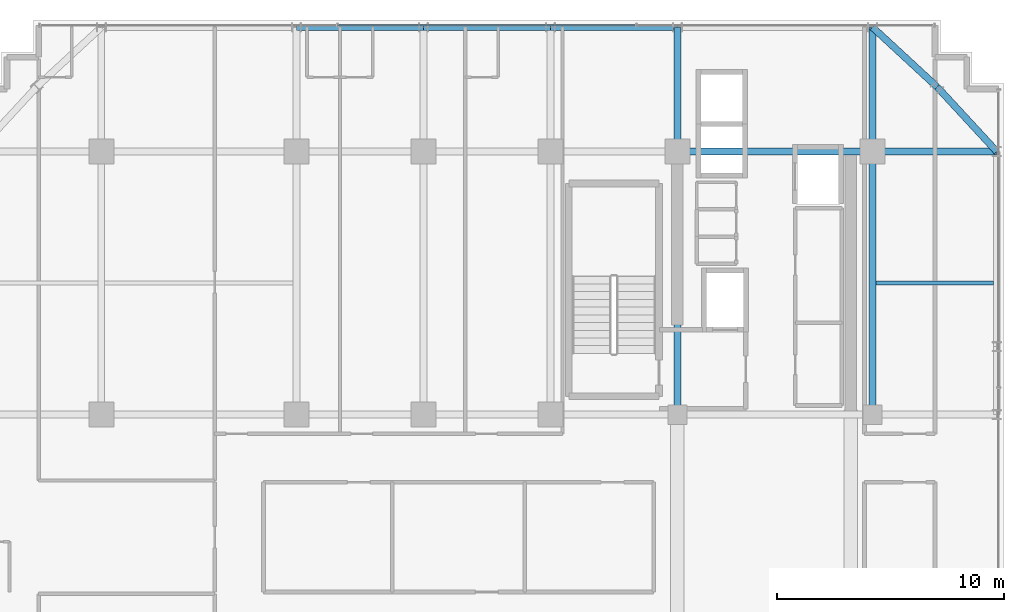
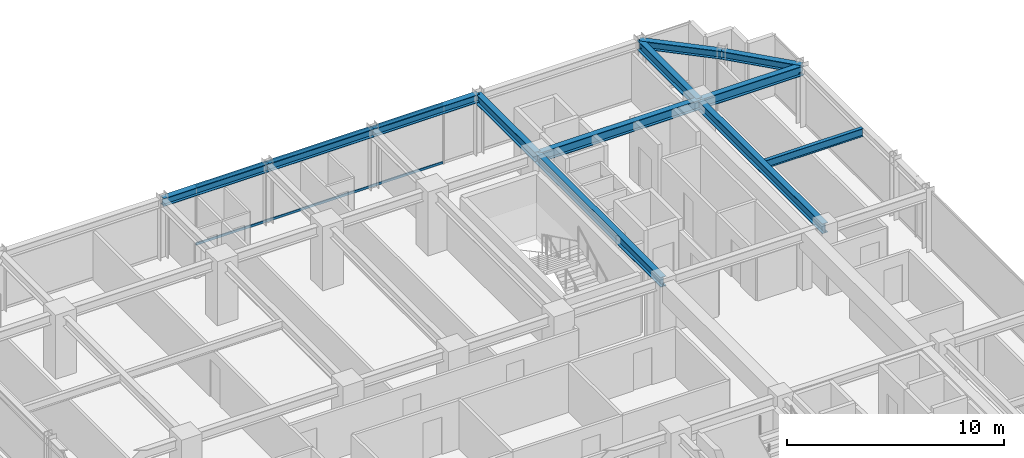
# One storey, part 21 of 31: 12 beams, 2 members, 1 element without a shape of its own.
"""IFC4 building model written with IfcOpenShell, lengths in metres."""

from ifc_helpers import new_model, si_unit, direction, frame, origin, origin_2d, place, context, subcontext, project, spatial, hollow_rectangle, i_section, extrude, source, transform, mapped, material, material_profile, profile_set, type_object, element, aggregate, save


model = new_model("IFC4")

# Units and contexts
model_context = context("Model", 3, precision=1e-05, world=origin(), true_north=direction((0.0, 1.0)))
body_context = subcontext(model_context, "Body", "Model", "MODEL_VIEW")
ifc_project = project(units=[si_unit("LENGTHUNIT", "METRE"), si_unit("AREAUNIT", "SQUARE_METRE"), si_unit("VOLUMEUNIT", "CUBIC_METRE"), si_unit("PLANEANGLEUNIT", "RADIAN"), si_unit("MASSUNIT", "GRAM", prefix="KILO")], contexts=[model_context])

# Site, building, storey
site_placement = place(None, origin())
site = spatial("IfcSite", under=ifc_project, at=site_placement, CompositionType="ELEMENT")
building_placement = place(site_placement, origin())
building = spatial("IfcBuilding", under=site, at=building_placement, Name="Nahalor Promenade Grand Hotel", CompositionType="ELEMENT")
storey_placement = place(building_placement, frame((0.0, 0.0, 156.300048828125)))
storey = spatial("IfcBuildingStorey", under=building, at=storey_placement, Name="L39", CompositionType="ELEMENT", Elevation=156.300048828125)

# Beams
ifc_material_1 = material(Name="Steel S355JR", Category="steel")
ifc_material_profile_1 = material_profile(ifc_material_1, i_section(OverallWidth=0.3, OverallDepth=0.55, WebThickness=0.015, FlangeThickness=0.029, at=origin_2d()), Name="HEB 550")
ifc_profile_set_1 = profile_set([ifc_material_profile_1], Name="Steel S355JR")
beam_type_1 = type_object("IfcBeamType", Name="Beam-Girder-HEB550", PredefinedType="BEAM", material=ifc_profile_set_1)
shared_shape_1 = source(origin(), body_context, "Body", "SweptSolid", [
    extrude(i_section(OverallWidth=0.3, OverallDepth=0.55, WebThickness=0.015, FlangeThickness=0.029, at=origin_2d()), origin(), (0.0, 0.0, 1.0), 8.60009765625),
])
beam_1_placement = place(storey_placement, frame((8.39990234375, 17.0, 3.114990234375), z_axis=(1.0, 0.0, 0.0), x_axis=(0.0, 1.0, 0.0)))
element("IfcBeam", 1, at=beam_1_placement, inside=storey, type_object=beam_type_1, Name="BM-L39-GX-3-5", PredefinedType="BEAM", context=body_context, shape_type="MappedRepresentation", body=[
    mapped(shared_shape_1, transform((0.0, 0.0, 0.0), scale=1.0)),
])
shared_shape_2 = source(origin(), body_context, "Body", "SweptSolid", [
    extrude(i_section(OverallWidth=0.3, OverallDepth=0.55, WebThickness=0.015, FlangeThickness=0.029, at=origin_2d()), origin(), (0.0, 0.0, 1.0), 11.60009765625),
])
for number, where, z_axis, x_axis, name in (
    (2, (8.39990234375, 5.39990234375, 3.114990234375), (0.0, 1.0, 0.0), (-1.0, 0.0, 0.0), "BM-L39-GY-4-3"),
    (3, (17.0, 5.39990234375, 3.114990234375), (0.0, 1.0, 0.0), (-1.0, 0.0, 0.0), "BM-L39-GY-5-3"),
):
    element("IfcBeam", number, at=place(storey_placement, frame(where, z_axis=z_axis, x_axis=x_axis)), inside=storey, type_object=beam_type_1, Name=name, PredefinedType="BEAM", context=body_context, shape_type="MappedRepresentation", body=[
        mapped(shared_shape_2, transform((0.0, 0.0, 0.0), scale=1.0)),
    ])
shared_shape_3 = source(origin(), body_context, "Body", "SweptSolid", [
    extrude(i_section(OverallWidth=0.3, OverallDepth=0.55, WebThickness=0.015, FlangeThickness=0.029, at=origin_2d()), origin(), (0.0, 0.0, 1.0), 5.47998046875),
])
for number, where, z_axis, x_axis, name in (
    (4, (17.0, 17.0, 3.114990234375), (1.0, 0.0, 0.0), (0.0, 1.0, 0.0), "BM-L39-GX-3-6"),
    (5, (8.39990234375, 17.0, 3.114990234375), (0.0, 1.0, 0.0), (-1.0, 0.0, 0.0), "BM-L39-GY-4-4"),
    (6, (17.0, 17.0, 3.114990234375), (0.0, 1.0, 0.0), (-1.0, 0.0, 0.0), "BM-L39-GY-5-4"),
):
    element("IfcBeam", number, at=place(storey_placement, frame(where, z_axis=z_axis, x_axis=x_axis)), inside=storey, type_object=beam_type_1, Name=name, PredefinedType="BEAM", context=body_context, shape_type="MappedRepresentation", body=[
        mapped(shared_shape_3, transform((0.0, 0.0, 0.0), scale=1.0)),
    ])
ifc_material_profile_2 = material_profile(ifc_material_1, i_section(OverallWidth=0.19, OverallDepth=0.45, WebThickness=0.0094, FlangeThickness=0.0146, at=origin_2d()), Name="IPE 450")
ifc_profile_set_2 = profile_set([ifc_material_profile_2], Name="Steel S355JR")
beam_type_2 = type_object("IfcBeamType", Name="Beam-Joist-IPE450", PredefinedType="JOIST", material=ifc_profile_set_2)
shared_shape_4 = source(origin(), body_context, "Body", "SweptSolid", [
    extrude(i_section(OverallWidth=0.19, OverallDepth=0.45, WebThickness=0.0094, FlangeThickness=0.0146, at=origin_2d()), origin(), (0.0, 0.0, 1.0), 5.18017578125),
])
beam_2_placement = place(storey_placement, frame((17.14990234375, 11.199951171875, 3.1650390625), z_axis=(1.0, 0.0, 0.0), x_axis=(0.0, 1.0, 0.0)))
element("IfcBeam", 7, at=beam_2_placement, inside=storey, type_object=beam_type_2, Name="BM-L39-JSE-1-2", PredefinedType="JOIST", context=body_context, shape_type="MappedRepresentation", body=[
    mapped(shared_shape_4, transform((0.0, 0.0, 0.0), scale=1.0)),
])
ifc_material_profile_3 = material_profile(ifc_material_1, i_section(OverallWidth=0.3, OverallDepth=0.45, WebThickness=0.014, FlangeThickness=0.026, at=origin_2d()), Name="HEB 450")
ifc_profile_set_3 = profile_set([ifc_material_profile_3], Name="Steel S355JR")
beam_type_3 = type_object("IfcBeamType", Name="Beam-Spandrel-HEB450", PredefinedType="SPANDREL", material=ifc_profile_set_3)
shared_shape_5 = source(origin(), body_context, "Body", "SweptSolid", [
    extrude(i_section(OverallWidth=0.3, OverallDepth=0.45, WebThickness=0.014, FlangeThickness=0.026, at=origin_2d()), origin(), (0.0, 0.0, 1.0), 5.599853515625),
])
for number, where, z_axis, x_axis, name in (
    (8, (-8.39990234375, 22.47998046875, 3.1650390625), (1.0, 0.0, 0.0), (0.0, 1.0, 0.0), "BM-L39-SP-N-1"),
    (9, (2.800048828125, 22.47998046875, 3.1650390625), (1.0, 0.0, 0.0), (0.0, 1.0, 0.0), "BM-L39-SP-N-3"),
):
    element("IfcBeam", number, at=place(storey_placement, frame(where, z_axis=z_axis, x_axis=x_axis)), inside=storey, type_object=beam_type_3, Name=name, PredefinedType="SPANDREL", context=body_context, shape_type="MappedRepresentation", body=[
        mapped(shared_shape_5, transform((0.0, 0.0, 0.0), scale=1.0)),
    ])
shared_shape_6 = source(origin(), body_context, "Body", "SweptSolid", [
    extrude(i_section(OverallWidth=0.3, OverallDepth=0.45, WebThickness=0.014, FlangeThickness=0.026, at=origin_2d()), origin(), (0.0, 0.0, 1.0), 5.60009765625),
])
beam_3_placement = place(storey_placement, frame((-2.800048828125, 22.47998046875, 3.1650390625), z_axis=(1.0, 0.0, 0.0), x_axis=(0.0, 1.0, 0.0)))
element("IfcBeam", 10, at=beam_3_placement, inside=storey, type_object=beam_type_3, Name="BM-L39-SP-N-2", PredefinedType="SPANDREL", context=body_context, shape_type="MappedRepresentation", body=[
    mapped(shared_shape_6, transform((0.0, 0.0, 0.0), scale=1.0)),
])
shared_shape_7 = source(origin(), body_context, "Body", "SweptSolid", [
    extrude(i_section(OverallWidth=0.3, OverallDepth=0.45, WebThickness=0.014, FlangeThickness=0.026, at=origin_2d()), origin(), (0.0, 0.0, 1.0), 3.878173828125),
])
for number, where, z_axis, x_axis, name in (
    (11, (17.0, 22.47998046875, 3.1650390625), (0.73492893846, -0.678144125843, 0.0), (0.678144125843, 0.73492893846, 0.0), "BM-L39-SPC-NE-1"),
    (12, (19.85009765625, 19.85009765625, 3.1650390625), (0.678144125843, -0.73492893846, 0.0), (0.73492893846, 0.678144125843, 0.0), "BM-L39-SPC-NE-2"),
):
    element("IfcBeam", number, at=place(storey_placement, frame(where, z_axis=z_axis, x_axis=x_axis)), inside=storey, type_object=beam_type_3, Name=name, PredefinedType="SPANDREL", context=body_context, shape_type="MappedRepresentation", body=[
        mapped(shared_shape_7, transform((0.0, 0.0, 0.0), scale=1.0)),
    ])

# Curtain wall, members
ifc_material_2 = material(Name="Anodised Bronze Aluminium EN AW-6063 T6", Category="aluminium")
curtain_wall_type = type_object("IfcCurtainWallType", Name="CW2 Typical Hotel Flush Bronze Unitised Curtain Wall", PredefinedType="USERDEFINED", material=ifc_material_2)
curtain_wall_placement = place(storey_placement, origin())
curtain_wall = element("IfcCurtainWall", 13, at=curtain_wall_placement, inside=storey, type_object=curtain_wall_type, Name="L39 Curtain Wall CW-L39-N-1", ObjectType="UNITISED_CURTAIN_WALL", PredefinedType="USERDEFINED")
ifc_material_profile_4 = material_profile(ifc_material_2, hollow_rectangle(XDim=0.065, YDim=0.13, WallThickness=0.004, at=origin_2d()), Name="CWT 65x130x4")
ifc_profile_set_4 = profile_set([ifc_material_profile_4], Name="Anodised Bronze Aluminium EN AW-6063 T6")
member_type = type_object("IfcMemberType", Name="CWT2 Typical Bronze Transom 65x130", PredefinedType="USERDEFINED", material=ifc_profile_set_4)
shared_shape_8 = source(origin(), body_context, "Body", "SweptSolid", [
    extrude(hollow_rectangle(XDim=0.065, YDim=0.13, WallThickness=0.004, at=origin_2d()), origin(), (0.0, 0.0, 1.0), 13.1083984375),
])
member_1_placement = place(storey_placement, frame((-6.55419921875, 22.56005859375, 0.06494140625), z_axis=(1.0, 0.0, 0.0), x_axis=(0.0, 1.0, 0.0)))
member_1 = element("IfcMember", 14, at=member_1_placement, type_object=member_type, Name="CW-L39-N-1 Transom 1-0", ObjectType="TRANSOM", PredefinedType="USERDEFINED", context=body_context, shape_type="MappedRepresentation", body=[
    mapped(shared_shape_8, transform((0.0, 0.0, 0.0), scale=1.0)),
])
member_2_placement = place(storey_placement, frame((-6.55419921875, 22.56005859375, 3.324951171875), z_axis=(1.0, 0.0, 0.0), x_axis=(0.0, 1.0, 0.0)))
member_2 = element("IfcMember", 15, at=member_2_placement, type_object=member_type, Name="CW-L39-N-1 Transom 1-1", ObjectType="TRANSOM", PredefinedType="USERDEFINED", context=body_context, shape_type="MappedRepresentation", body=[
    mapped(shared_shape_8, transform((0.0, 0.0, 0.0), scale=1.0)),
])
aggregate(curtain_wall, [member_1, member_2])

save(model, "model.ifc")
